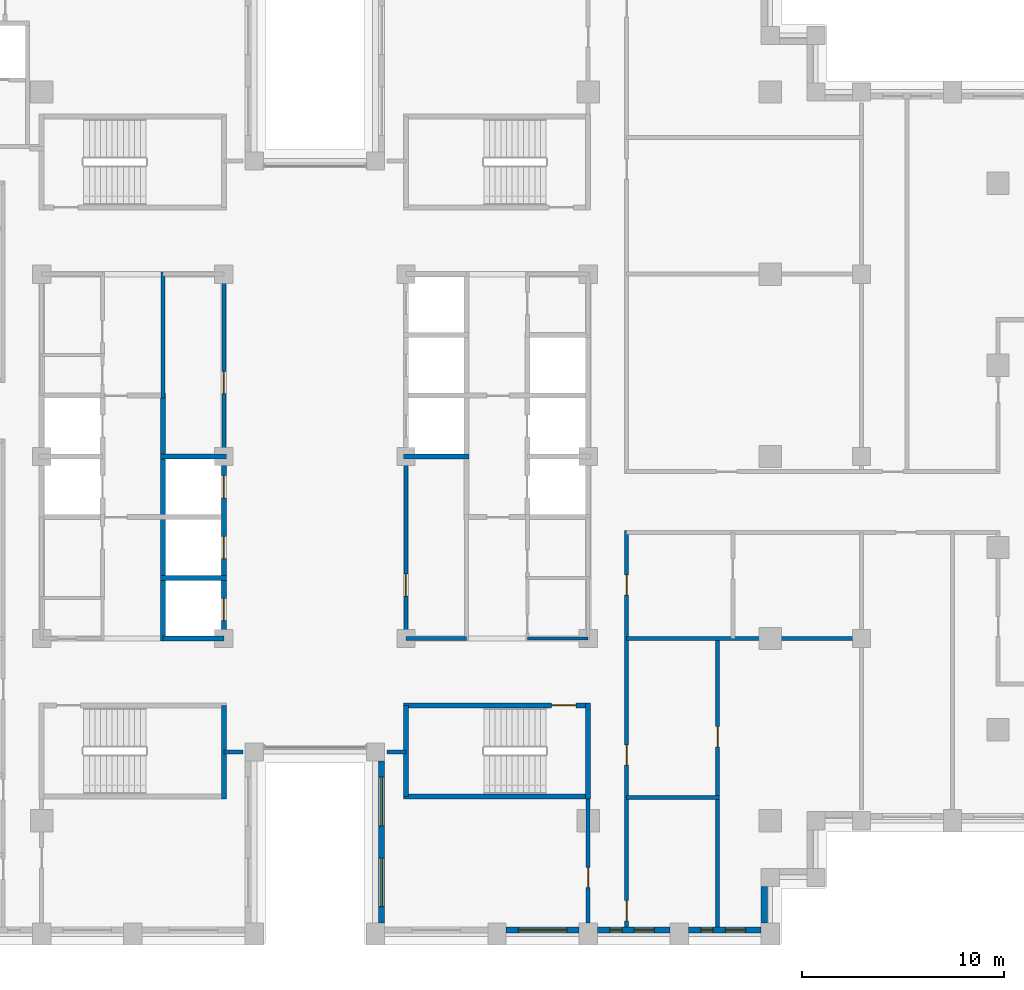
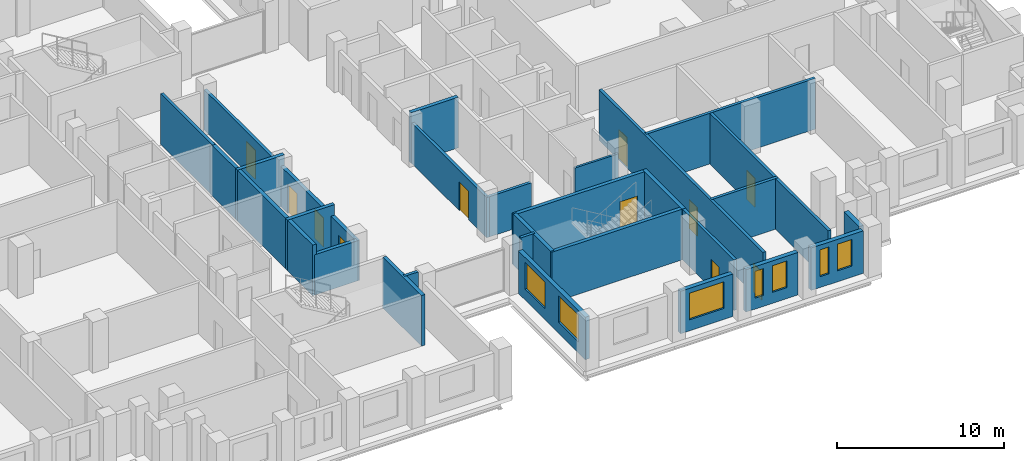
# One storey, part 8 of 15: 28 walls, 11 doors, 7 windows, 18 openings.
"""IFC4 building model written with IfcOpenShell, lengths in metres."""

from ifc_helpers import new_model, si_unit, direction, frame, frame_2d, origin, place, context, subcontext, project, spatial, rectangle, extrude, material, layer, layer_set, type_object, element, fill, save


model = new_model("IFC4")

# Units and contexts
model_context = context("Model", 3, precision=1e-05, world=origin(), true_north=direction((0.0, 1.0)))
body_context = subcontext(model_context, "Body", "Model", "MODEL_VIEW")
ifc_project = project(units=[si_unit("LENGTHUNIT", "METRE"), si_unit("AREAUNIT", "SQUARE_METRE"), si_unit("VOLUMEUNIT", "CUBIC_METRE"), si_unit("PLANEANGLEUNIT", "RADIAN"), si_unit("MASSUNIT", "GRAM", prefix="KILO")], contexts=[model_context])

# Site, building, storey
site_placement = place(None, origin())
site = spatial("IfcSite", under=ifc_project, at=site_placement, CompositionType="ELEMENT")
building_placement = place(site_placement, origin())
building = spatial("IfcBuilding", under=site, at=building_placement, Name="Corbelhall Arena Tower", CompositionType="ELEMENT")
storey_placement = place(building_placement, frame((0.0, 0.0, 146.0)))
storey = spatial("IfcBuildingStorey", under=building, at=storey_placement, Name="L28", CompositionType="ELEMENT", Elevation=146.0)

# Wall, openings, windows
ifc_material_1 = material(Name="Precast concrete C40/50 with granite facing", Category="masonry")
ifc_layer_1 = layer(ifc_material_1, 0.300048828125)
ifc_layer_set_1 = layer_set([ifc_layer_1], Name="EV-IW1 Infill panel 300")
wall_type_1 = type_object("IfcWallType", Name="EV-IW1 Infill panel 300", PredefinedType="SOLIDWALL", material=ifc_layer_set_1)
wall_1_placement = place(storey_placement, frame((3.300048828125, -15.050048828125, 0.0), z_axis=(0.0, 0.0, 1.0), x_axis=(0.0, -1.0, 0.0)))
wall_1 = element("IfcWall", 1, at=wall_1_placement, inside=storey, type_object=wall_type_1, Name="Infill panel IW1", PredefinedType="SOLIDWALL", context=body_context, shape_type="SweptSolid", body=[
    extrude(rectangle(XDim=8.0, YDim=0.300048828125, at=frame_2d((4.0, 0.0))), origin(), (0.0, 0.0, 1.0), 3.10009765625),
])
opening_1_placement = place(wall_1_placement, frame((0.800048828125, 0.0, 0.800048828125)))
opening_1 = element("IfcOpeningElement", 2, at=opening_1_placement, cuts=wall_1, Name="Opening WN1", PredefinedType="OPENING", context=body_context, shape_type="SweptSolid", body=[
    extrude(rectangle(XDim=2.39990234375, YDim=1.949951171875, at=frame_2d((1.199951171875, 0.97509765625))), frame((0.0, 0.14990234375, 0.0), z_axis=(0.0, -1.0, 0.0), x_axis=(1.0, 0.0, 0.0)), (0.0, 0.0, 1.0), 0.300048828125),
])
opening_2_placement = place(wall_1_placement, frame((4.800048828125, 0.0, 0.800048828125)))
opening_2 = element("IfcOpeningElement", 3, at=opening_2_placement, cuts=wall_1, Name="Opening WN1", PredefinedType="OPENING", context=body_context, shape_type="SweptSolid", body=[
    extrude(rectangle(XDim=2.39990234375, YDim=1.949951171875, at=frame_2d((1.199951171875, 0.97509765625))), frame((0.0, 0.14990234375, 0.0), z_axis=(0.0, -1.0, 0.0), x_axis=(1.0, 0.0, 0.0)), (0.0, 0.0, 1.0), 0.300048828125),
])
ifc_material_2 = material(Name="Aluminium black anodised", Category="aluminium")
window_type_1 = type_object("IfcWindowType", Name="EV-WN1 Office window", PartitioningType="SINGLE_PANEL", PredefinedType="WINDOW", material=ifc_material_2)
window_1_placement = place(opening_1_placement, origin())
window_1 = element("IfcWindow", 4, at=window_1_placement, inside=storey, type_object=window_type_1, Name="Window WN1", OverallHeight=1.949951171875, OverallWidth=2.39990234375, PartitioningType="SINGLE_PANEL", PredefinedType="WINDOW", context=body_context, shape_type="SweptSolid", body=[
    extrude(rectangle(XDim=2.39990234375, YDim=1.949951171875, at=frame_2d((1.199951171875, 0.97509765625))), frame((0.0, 0.030029296875, 0.0), z_axis=(0.0, -1.0, 0.0), x_axis=(1.0, 0.0, 0.0)), (0.0, 0.0, 1.0), 0.06005859375),
])
fill(opening_1, window_1)
window_2_placement = place(opening_2_placement, origin())
window_2 = element("IfcWindow", 5, at=window_2_placement, inside=storey, type_object=window_type_1, Name="Window WN1", OverallHeight=1.949951171875, OverallWidth=2.39990234375, PartitioningType="SINGLE_PANEL", PredefinedType="WINDOW", context=body_context, shape_type="SweptSolid", body=[
    extrude(rectangle(XDim=2.39990234375, YDim=1.949951171875, at=frame_2d((1.199951171875, 0.97509765625))), frame((0.0, 0.030029296875, 0.0), z_axis=(0.0, -1.0, 0.0), x_axis=(1.0, 0.0, 0.0)), (0.0, 0.0, 1.0), 0.06005859375),
])
fill(opening_2, window_2)

# Wall, opening, window
wall_2_placement = place(storey_placement, frame((9.449951171875, -23.39990234375, 0.0), z_axis=(0.0, 0.0, 1.0), x_axis=(1.0, 0.0, 0.0)))
wall_2 = element("IfcWall", 6, at=wall_2_placement, inside=storey, type_object=wall_type_1, Name="Infill panel IW1", PredefinedType="SOLIDWALL", context=body_context, shape_type="SweptSolid", body=[
    extrude(rectangle(XDim=3.60009765625, YDim=0.300048828125, at=frame_2d((1.800048828125, 0.0))), origin(), (0.0, 0.0, 1.0), 3.10009765625),
])
opening_3_placement = place(wall_2_placement, frame((0.60009765625, 0.0, 0.800048828125)))
opening_3 = element("IfcOpeningElement", 7, at=opening_3_placement, cuts=wall_2, Name="Opening WN1", PredefinedType="OPENING", context=body_context, shape_type="SweptSolid", body=[
    extrude(rectangle(XDim=2.39990234375, YDim=1.949951171875, at=frame_2d((1.199951171875, 0.97509765625))), frame((0.0, 0.14990234375, 0.0), z_axis=(0.0, -1.0, 0.0), x_axis=(1.0, 0.0, 0.0)), (0.0, 0.0, 1.0), 0.300048828125),
])
window_3_placement = place(opening_3_placement, origin())
window_3 = element("IfcWindow", 8, at=window_3_placement, inside=storey, type_object=window_type_1, Name="Window WN1", OverallHeight=1.949951171875, OverallWidth=2.39990234375, PartitioningType="SINGLE_PANEL", PredefinedType="WINDOW", context=body_context, shape_type="SweptSolid", body=[
    extrude(rectangle(XDim=2.39990234375, YDim=1.949951171875, at=frame_2d((1.199951171875, 0.97509765625))), frame((0.0, 0.030029296875, 0.0), z_axis=(0.0, -1.0, 0.0), x_axis=(1.0, 0.0, 0.0)), (0.0, 0.0, 1.0), 0.06005859375),
])
fill(opening_3, window_3)

# Wall, openings, windows
wall_3_placement = place(storey_placement, frame((13.949951171875, -23.39990234375, 0.0), z_axis=(0.0, 0.0, 1.0), x_axis=(1.0, 0.0, 0.0)))
wall_3 = element("IfcWall", 9, at=wall_3_placement, inside=storey, type_object=wall_type_1, Name="Infill panel IW1", PredefinedType="SOLIDWALL", context=body_context, shape_type="SweptSolid", body=[
    extrude(rectangle(XDim=3.60009765625, YDim=0.300048828125, at=frame_2d((1.800048828125, 0.0))), origin(), (0.0, 0.0, 1.0), 3.10009765625),
])
opening_4_placement = place(wall_3_placement, frame((0.625, 0.0, 0.800048828125)))
opening_4 = element("IfcOpeningElement", 10, at=opening_4_placement, cuts=wall_3, Name="Opening WN5", PredefinedType="OPENING", context=body_context, shape_type="SweptSolid", body=[
    extrude(rectangle(XDim=0.60009765625, YDim=1.949951171875, at=frame_2d((0.300048828125, 0.97509765625))), frame((0.0, 0.14990234375, 0.0), z_axis=(0.0, -1.0, 0.0), x_axis=(1.0, 0.0, 0.0)), (0.0, 0.0, 1.0), 0.300048828125),
])
opening_5_placement = place(wall_3_placement, frame((1.824951171875, 0.0, 0.800048828125)))
opening_5 = element("IfcOpeningElement", 11, at=opening_5_placement, cuts=wall_3, Name="Opening WN6", PredefinedType="OPENING", context=body_context, shape_type="SweptSolid", body=[
    extrude(rectangle(XDim=1.0, YDim=1.949951171875, at=frame_2d((0.5, 0.97509765625))), frame((0.0, 0.14990234375, 0.0), z_axis=(0.0, -1.0, 0.0), x_axis=(1.0, 0.0, 0.0)), (0.0, 0.0, 1.0), 0.300048828125),
])
window_type_2 = type_object("IfcWindowType", Name="EV-WN5 Office window 600", PartitioningType="SINGLE_PANEL", PredefinedType="WINDOW", material=ifc_material_2)
window_4_placement = place(opening_4_placement, origin())
window_4 = element("IfcWindow", 12, at=window_4_placement, inside=storey, type_object=window_type_2, Name="Window WN5", OverallHeight=1.949951171875, OverallWidth=0.60009765625, PartitioningType="SINGLE_PANEL", PredefinedType="WINDOW", context=body_context, shape_type="SweptSolid", body=[
    extrude(rectangle(XDim=0.60009765625, YDim=1.949951171875, at=frame_2d((0.300048828125, 0.97509765625))), frame((0.0, 0.030029296875, 0.0), z_axis=(0.0, -1.0, 0.0), x_axis=(1.0, 0.0, 0.0)), (0.0, 0.0, 1.0), 0.06005859375),
])
fill(opening_4, window_4)
window_type_3 = type_object("IfcWindowType", Name="EV-WN6 Office window 1000", PartitioningType="SINGLE_PANEL", PredefinedType="WINDOW", material=ifc_material_2)
window_5_placement = place(opening_5_placement, origin())
window_5 = element("IfcWindow", 13, at=window_5_placement, inside=storey, type_object=window_type_3, Name="Window WN6", OverallHeight=1.949951171875, OverallWidth=1.0, PartitioningType="SINGLE_PANEL", PredefinedType="WINDOW", context=body_context, shape_type="SweptSolid", body=[
    extrude(rectangle(XDim=1.0, YDim=1.949951171875, at=frame_2d((0.5, 0.97509765625))), frame((0.0, 0.030029296875, 0.0), z_axis=(0.0, -1.0, 0.0), x_axis=(1.0, 0.0, 0.0)), (0.0, 0.0, 1.0), 0.06005859375),
])
fill(opening_5, window_5)

wall_4_placement = place(storey_placement, frame((18.449951171875, -23.39990234375, 0.0), z_axis=(0.0, 0.0, 1.0), x_axis=(1.0, 0.0, 0.0)))
wall_4 = element("IfcWall", 14, at=wall_4_placement, inside=storey, type_object=wall_type_1, Name="Infill panel IW1", PredefinedType="SOLIDWALL", context=body_context, shape_type="SweptSolid", body=[
    extrude(rectangle(XDim=3.60009765625, YDim=0.300048828125, at=frame_2d((1.800048828125, 0.0))), origin(), (0.0, 0.0, 1.0), 3.10009765625),
])
opening_6_placement = place(wall_4_placement, frame((0.625, 0.0, 0.800048828125)))
opening_6 = element("IfcOpeningElement", 15, at=opening_6_placement, cuts=wall_4, Name="Opening WN5", PredefinedType="OPENING", context=body_context, shape_type="SweptSolid", body=[
    extrude(rectangle(XDim=0.60009765625, YDim=1.949951171875, at=frame_2d((0.300048828125, 0.97509765625))), frame((0.0, 0.14990234375, 0.0), z_axis=(0.0, -1.0, 0.0), x_axis=(1.0, 0.0, 0.0)), (0.0, 0.0, 1.0), 0.300048828125),
])
opening_7_placement = place(wall_4_placement, frame((1.824951171875, 0.0, 0.800048828125)))
opening_7 = element("IfcOpeningElement", 16, at=opening_7_placement, cuts=wall_4, Name="Opening WN6", PredefinedType="OPENING", context=body_context, shape_type="SweptSolid", body=[
    extrude(rectangle(XDim=1.0, YDim=1.949951171875, at=frame_2d((0.5, 0.97509765625))), frame((0.0, 0.14990234375, 0.0), z_axis=(0.0, -1.0, 0.0), x_axis=(1.0, 0.0, 0.0)), (0.0, 0.0, 1.0), 0.300048828125),
])
window_6_placement = place(opening_6_placement, origin())
window_6 = element("IfcWindow", 17, at=window_6_placement, inside=storey, type_object=window_type_2, Name="Window WN5", OverallHeight=1.949951171875, OverallWidth=0.60009765625, PartitioningType="SINGLE_PANEL", PredefinedType="WINDOW", context=body_context, shape_type="SweptSolid", body=[
    extrude(rectangle(XDim=0.60009765625, YDim=1.949951171875, at=frame_2d((0.300048828125, 0.97509765625))), frame((0.0, 0.030029296875, 0.0), z_axis=(0.0, -1.0, 0.0), x_axis=(1.0, 0.0, 0.0)), (0.0, 0.0, 1.0), 0.06005859375),
])
fill(opening_6, window_6)
window_7_placement = place(opening_7_placement, origin())
window_7 = element("IfcWindow", 18, at=window_7_placement, inside=storey, type_object=window_type_3, Name="Window WN6", OverallHeight=1.949951171875, OverallWidth=1.0, PartitioningType="SINGLE_PANEL", PredefinedType="WINDOW", context=body_context, shape_type="SweptSolid", body=[
    extrude(rectangle(XDim=1.0, YDim=1.949951171875, at=frame_2d((0.5, 0.97509765625))), frame((0.0, 0.030029296875, 0.0), z_axis=(0.0, -1.0, 0.0), x_axis=(1.0, 0.0, 0.0)), (0.0, 0.0, 1.0), 0.06005859375),
])
fill(opening_7, window_7)

# Walls
wall_5_placement = place(storey_placement, frame((22.199951171875, -23.050048828125, 0.0), z_axis=(0.0, 0.0, 1.0), x_axis=(0.0, 1.0, 0.0)))
element("IfcWall", 19, at=wall_5_placement, inside=storey, type_object=wall_type_1, Name="Infill panel IW1", PredefinedType="SOLIDWALL", context=body_context, shape_type="SweptSolid", body=[
    extrude(rectangle(XDim=1.800048828125, YDim=0.300048828125, at=frame_2d((0.89990234375, 0.0))), origin(), (0.0, 0.0, 1.0), 3.10009765625),
])
ifc_material_3 = material(Name="Gypsum board on steel stud, acoustic", Category="steel")
ifc_layer_2 = layer(ifc_material_3, 0.199951171875)
ifc_layer_set_2 = layer_set([ifc_layer_2], Name="IN-W-DM200")
wall_type_2 = type_object("IfcWallType", Name="IN-W-DM200", PredefinedType="PARTITIONING", material=ifc_layer_set_2)
for number, where, z_axis, x_axis, name in (
    (20, (-3.550048828125, -14.60009765625, 0.0), (0.0, 0.0, 1.0), (-1.0, 0.0, 0.0), "Partition 023"),
    (21, (4.5, -14.60009765625, 0.0), (0.0, 0.0, 1.0), (-1.0, 0.0, 0.0), "Partition 025"),
):
    element("IfcWall", number, at=place(storey_placement, frame(where, z_axis=z_axis, x_axis=x_axis)), inside=storey, type_object=wall_type_2, Name=name, PredefinedType="PARTITIONING", context=body_context, shape_type="SweptSolid", body=[
        extrude(rectangle(XDim=0.949951171875, YDim=0.199951171875, at=frame_2d((0.47509765625, 0.0))), origin(), (0.0, 0.0, 1.0), 3.699951171875),
    ])

# Wall, opening, door
wall_6_placement = place(storey_placement, frame((13.5, -23.050048828125, 0.0), z_axis=(0.0, 0.0, 1.0), x_axis=(0.0, 1.0, 0.0)))
wall_6 = element("IfcWall", 22, at=wall_6_placement, inside=storey, type_object=wall_type_2, Name="Partition 026", PredefinedType="PARTITIONING", context=body_context, shape_type="SweptSolid", body=[
    extrude(rectangle(XDim=6.375, YDim=0.199951171875, at=frame_2d((3.1875, 0.0))), origin(), (0.0, 0.0, 1.0), 3.699951171875),
])
opening_8_placement = place(wall_6_placement, frame((1.75, 0.0, 0.0)))
opening_8 = element("IfcOpeningElement", 23, at=opening_8_placement, cuts=wall_6, Name="Opening 07025", PredefinedType="OPENING", context=body_context, shape_type="SweptSolid", body=[
    extrude(rectangle(XDim=1.0, YDim=2.10009765625, at=frame_2d((0.5, 1.050048828125))), frame((0.0, 0.10009765625, 0.0), z_axis=(0.0, -1.0, 0.0), x_axis=(1.0, 0.0, 0.0)), (0.0, 0.0, 1.0), 0.199951171875),
])
ifc_material_4 = material(Name="Steel door set", Category="steel")
door_type_1 = type_object("IfcDoorType", Name="IN-D-SW100", OperationType="NOTDEFINED", PredefinedType="DOOR", material=ifc_material_4)
door_1_placement = place(opening_8_placement, origin())
door_1 = element("IfcDoor", 24, at=door_1_placement, inside=storey, type_object=door_type_1, Name="Door 025", OperationType="SINGLE_SWING_RIGHT", OverallHeight=2.10009765625, OverallWidth=1.0, PredefinedType="DOOR", context=body_context, shape_type="SweptSolid", body=[
    extrude(rectangle(XDim=1.0, YDim=2.10009765625, at=frame_2d((0.5, 1.050048828125))), frame((0.0, 0.02490234375, 0.0), z_axis=(0.0, -1.0, 0.0), x_axis=(1.0, 0.0, 0.0)), (0.0, 0.0, 1.0), 0.050048828125),
])
fill(opening_8, door_1)

# Wall
wall_7_placement = place(storey_placement, frame((15.39990234375, -16.85009765625, 0.0), z_axis=(0.0, 0.0, 1.0), x_axis=(1.0, 0.0, 0.0)))
element("IfcWall", 25, at=wall_7_placement, inside=storey, type_object=wall_type_2, Name="Partition 028", PredefinedType="PARTITIONING", context=body_context, shape_type="SweptSolid", body=[
    extrude(rectangle(XDim=4.60009765625, YDim=0.199951171875, at=frame_2d((2.300048828125, 0.0))), origin(), (0.0, 0.0, 1.0), 3.699951171875),
])

# Wall, openings, doors
wall_8_placement = place(storey_placement, frame((15.39990234375, -3.64990234375, 0.0), z_axis=(0.0, 0.0, 1.0), x_axis=(0.0, -1.0, 0.0)))
wall_8 = element("IfcWall", 26, at=wall_8_placement, inside=storey, type_object=wall_type_2, Name="Partition 029", PredefinedType="PARTITIONING", context=body_context, shape_type="SweptSolid", body=[
    extrude(rectangle(XDim=19.60009765625, YDim=0.199951171875, at=frame_2d((9.800048828125, 0.0))), origin(), (0.0, 0.0, 1.0), 3.699951171875),
])
opening_9_placement = place(wall_8_placement, frame((18.300048828125, 0.0, 0.0)))
opening_9 = element("IfcOpeningElement", 27, at=opening_9_placement, cuts=wall_8, Name="Opening 07035", PredefinedType="OPENING", context=body_context, shape_type="SweptSolid", body=[
    extrude(rectangle(XDim=1.0, YDim=2.10009765625, at=frame_2d((0.5, 1.050048828125))), frame((0.0, 0.10009765625, 0.0), z_axis=(0.0, -1.0, 0.0), x_axis=(1.0, 0.0, 0.0)), (0.0, 0.0, 1.0), 0.199951171875),
])
opening_10_placement = place(wall_8_placement, frame((10.60009765625, 0.0, 0.0)))
opening_10 = element("IfcOpeningElement", 28, at=opening_10_placement, cuts=wall_8, Name="Opening 07036", PredefinedType="OPENING", context=body_context, shape_type="SweptSolid", body=[
    extrude(rectangle(XDim=1.0, YDim=2.10009765625, at=frame_2d((0.5, 1.050048828125))), frame((0.0, 0.10009765625, 0.0), z_axis=(0.0, -1.0, 0.0), x_axis=(1.0, 0.0, 0.0)), (0.0, 0.0, 1.0), 0.199951171875),
])
opening_11_placement = place(wall_8_placement, frame((2.199951171875, 0.0, 0.0)))
opening_11 = element("IfcOpeningElement", 29, at=opening_11_placement, cuts=wall_8, Name="Opening 07038", PredefinedType="OPENING", context=body_context, shape_type="SweptSolid", body=[
    extrude(rectangle(XDim=1.0, YDim=2.10009765625, at=frame_2d((0.5, 1.050048828125))), frame((0.0, 0.10009765625, 0.0), z_axis=(0.0, -1.0, 0.0), x_axis=(1.0, 0.0, 0.0)), (0.0, 0.0, 1.0), 0.199951171875),
])
door_2_placement = place(opening_9_placement, origin())
door_2 = element("IfcDoor", 30, at=door_2_placement, inside=storey, type_object=door_type_1, Name="Door 035", OperationType="SINGLE_SWING_RIGHT", OverallHeight=2.10009765625, OverallWidth=1.0, PredefinedType="DOOR", context=body_context, shape_type="SweptSolid", body=[
    extrude(rectangle(XDim=1.0, YDim=2.10009765625, at=frame_2d((0.5, 1.050048828125))), frame((0.0, 0.02490234375, 0.0), z_axis=(0.0, -1.0, 0.0), x_axis=(1.0, 0.0, 0.0)), (0.0, 0.0, 1.0), 0.050048828125),
])
fill(opening_9, door_2)
door_3_placement = place(opening_10_placement, origin())
door_3 = element("IfcDoor", 31, at=door_3_placement, inside=storey, type_object=door_type_1, Name="Door 036", OperationType="SINGLE_SWING_LEFT", OverallHeight=2.10009765625, OverallWidth=1.0, PredefinedType="DOOR", context=body_context, shape_type="SweptSolid", body=[
    extrude(rectangle(XDim=1.0, YDim=2.10009765625, at=frame_2d((0.5, 1.050048828125))), frame((0.0, 0.02490234375, 0.0), z_axis=(0.0, -1.0, 0.0), x_axis=(1.0, 0.0, 0.0)), (0.0, 0.0, 1.0), 0.050048828125),
])
fill(opening_10, door_3)
door_4_placement = place(opening_11_placement, origin())
door_4 = element("IfcDoor", 32, at=door_4_placement, inside=storey, type_object=door_type_1, Name="Door 038", OperationType="SINGLE_SWING_LEFT", OverallHeight=2.10009765625, OverallWidth=1.0, PredefinedType="DOOR", context=body_context, shape_type="SweptSolid", body=[
    extrude(rectangle(XDim=1.0, YDim=2.10009765625, at=frame_2d((0.5, 1.050048828125))), frame((0.0, 0.02490234375, 0.0), z_axis=(0.0, -1.0, 0.0), x_axis=(1.0, 0.0, 0.0)), (0.0, 0.0, 1.0), 0.050048828125),
])
fill(opening_11, door_4)

# Wall
wall_9_placement = place(storey_placement, frame((15.39990234375, -9.0, 0.0), z_axis=(0.0, 0.0, 1.0), x_axis=(1.0, 0.0, 0.0)))
element("IfcWall", 33, at=wall_9_placement, inside=storey, type_object=wall_type_2, Name="Partition 030", PredefinedType="PARTITIONING", context=body_context, shape_type="SweptSolid", body=[
    extrude(rectangle(XDim=11.7001953125, YDim=0.199951171875, at=frame_2d((5.85009765625, 0.0))), origin(), (0.0, 0.0, 1.0), 3.699951171875),
])

# Wall, opening, door
wall_10_placement = place(storey_placement, frame((19.89990234375, -8.89990234375, 0.0), z_axis=(0.0, 0.0, 1.0), x_axis=(0.0, -1.0, 0.0)))
wall_10 = element("IfcWall", 34, at=wall_10_placement, inside=storey, type_object=wall_type_2, Name="Partition 035", PredefinedType="PARTITIONING", context=body_context, shape_type="SweptSolid", body=[
    extrude(rectangle(XDim=14.35009765625, YDim=0.199951171875, at=frame_2d((7.175048828125, 0.0))), origin(), (0.0, 0.0, 1.0), 3.699951171875),
])
opening_12_placement = place(wall_10_placement, frame((4.449951171875, 0.0, 0.0)))
opening_12 = element("IfcOpeningElement", 35, at=opening_12_placement, cuts=wall_10, Name="Opening 07037", PredefinedType="OPENING", context=body_context, shape_type="SweptSolid", body=[
    extrude(rectangle(XDim=1.0, YDim=2.10009765625, at=frame_2d((0.5, 1.050048828125))), frame((0.0, 0.10009765625, 0.0), z_axis=(0.0, -1.0, 0.0), x_axis=(1.0, 0.0, 0.0)), (0.0, 0.0, 1.0), 0.199951171875),
])
door_5_placement = place(opening_12_placement, origin())
door_5 = element("IfcDoor", 36, at=door_5_placement, inside=storey, type_object=door_type_1, Name="Door 037", OperationType="SINGLE_SWING_RIGHT", OverallHeight=2.10009765625, OverallWidth=1.0, PredefinedType="DOOR", context=body_context, shape_type="SweptSolid", body=[
    extrude(rectangle(XDim=1.0, YDim=2.10009765625, at=frame_2d((0.5, 1.050048828125))), frame((0.0, 0.02490234375, 0.0), z_axis=(0.0, -1.0, 0.0), x_axis=(1.0, 0.0, 0.0)), (0.0, 0.0, 1.0), 0.050048828125),
])
fill(opening_12, door_5)

# Wall
ifc_material_5 = material(Name="Concrete block wall", Category="concrete")
ifc_layer_3 = layer(ifc_material_5, 0.199951171875)
ifc_layer_set_3 = layer_set([ifc_layer_3], Name="IN-W-RS200")
wall_type_3 = type_object("IfcWallType", Name="IN-W-RS200", PredefinedType="SOLIDWALL", material=ifc_layer_set_3)
wall_11_placement = place(storey_placement, frame((-7.5, 2.875, 0.0), z_axis=(0.0, 0.0, 1.0), x_axis=(0.0, 1.0, 0.0)))
element("IfcWall", 37, at=wall_11_placement, inside=storey, type_object=wall_type_3, Name="Partition 051", PredefinedType="SOLIDWALL", context=body_context, shape_type="SweptSolid", body=[
    extrude(rectangle(XDim=6.22509765625, YDim=0.199951171875, at=frame_2d((3.112548828125, 0.0))), origin(), (0.0, 0.0, 1.0), 3.699951171875),
])

# Wall, opening, door
ifc_layer_4 = layer(ifc_material_5, 0.199951171875)
ifc_layer_set_4 = layer_set([ifc_layer_4], Name="IN-W-RS200 under beam 762 mm")
wall_type_4 = type_object("IfcWallType", Name="IN-W-RS200 under beam 762 mm", PredefinedType="SOLIDWALL", material=ifc_layer_set_4)
wall_12_placement = place(storey_placement, frame((-4.5, 9.10009765625, 0.0), z_axis=(0.0, 0.0, 1.0), x_axis=(0.0, -1.0, 0.0)))
wall_12 = element("IfcWall", 38, at=wall_12_placement, inside=storey, type_object=wall_type_4, Name="Partition 053", PredefinedType="SOLIDWALL", context=body_context, shape_type="SweptSolid", body=[
    extrude(rectangle(XDim=9.10009765625, YDim=0.199951171875, at=frame_2d((4.550048828125, 0.0))), origin(), (0.0, 0.0, 1.0), 2.93798828125),
])
opening_13_placement = place(wall_12_placement, frame((4.89990234375, 0.0, 0.0)))
opening_13 = element("IfcOpeningElement", 39, at=opening_13_placement, cuts=wall_12, Name="Opening 07001", PredefinedType="OPENING", context=body_context, shape_type="SweptSolid", body=[
    extrude(rectangle(XDim=1.10009765625, YDim=2.10009765625, at=frame_2d((0.550048828125, 1.050048828125))), frame((0.0, 0.10009765625, 0.0), z_axis=(0.0, -1.0, 0.0), x_axis=(1.0, 0.0, 0.0)), (0.0, 0.0, 1.0), 0.199951171875),
])
door_type_2 = type_object("IfcDoorType", Name="IN-D-FD110", OperationType="NOTDEFINED", PredefinedType="DOOR", material=ifc_material_4)
door_6_placement = place(opening_13_placement, origin())
door_6 = element("IfcDoor", 40, at=door_6_placement, inside=storey, type_object=door_type_2, Name="Door 001", OperationType="SINGLE_SWING_RIGHT", OverallHeight=2.10009765625, OverallWidth=1.10009765625, PredefinedType="DOOR", context=body_context, shape_type="SweptSolid", body=[
    extrude(rectangle(XDim=1.10009765625, YDim=2.10009765625, at=frame_2d((0.550048828125, 1.050048828125))), frame((0.0, 0.02490234375, 0.0), z_axis=(0.0, -1.0, 0.0), x_axis=(1.0, 0.0, 0.0)), (0.0, 0.0, 1.0), 0.050048828125),
])
fill(opening_13, door_6)

wall_13_placement = place(storey_placement, frame((4.5, -9.10009765625, 0.0), z_axis=(0.0, 0.0, 1.0), x_axis=(0.0, 1.0, 0.0)))
wall_13 = element("IfcWall", 41, at=wall_13_placement, inside=storey, type_object=wall_type_4, Name="Partition 054", PredefinedType="SOLIDWALL", context=body_context, shape_type="SweptSolid", body=[
    extrude(rectangle(XDim=9.10009765625, YDim=0.199951171875, at=frame_2d((4.550048828125, 0.0))), origin(), (0.0, 0.0, 1.0), 2.93798828125),
])
opening_14_placement = place(wall_13_placement, frame((2.199951171875, 0.0, 0.0)))
opening_14 = element("IfcOpeningElement", 42, at=opening_14_placement, cuts=wall_13, Name="Opening 07008", PredefinedType="OPENING", context=body_context, shape_type="SweptSolid", body=[
    extrude(rectangle(XDim=1.10009765625, YDim=2.10009765625, at=frame_2d((0.550048828125, 1.050048828125))), frame((0.0, 0.10009765625, 0.0), z_axis=(0.0, -1.0, 0.0), x_axis=(1.0, 0.0, 0.0)), (0.0, 0.0, 1.0), 0.199951171875),
])
door_7_placement = place(opening_14_placement, origin())
door_7 = element("IfcDoor", 43, at=door_7_placement, inside=storey, type_object=door_type_2, Name="Door 008", OperationType="SINGLE_SWING_LEFT", OverallHeight=2.10009765625, OverallWidth=1.10009765625, PredefinedType="DOOR", context=body_context, shape_type="SweptSolid", body=[
    extrude(rectangle(XDim=1.10009765625, YDim=2.10009765625, at=frame_2d((0.550048828125, 1.050048828125))), frame((0.0, 0.02490234375, 0.0), z_axis=(0.0, -1.0, 0.0), x_axis=(1.0, 0.0, 0.0)), (0.0, 0.0, 1.0), 0.050048828125),
])
fill(opening_14, door_7)

# Walls
wall_14_placement = place(storey_placement, frame((7.5, -9.0, 0.0), z_axis=(0.0, 0.0, 1.0), x_axis=(-1.0, 0.0, 0.0)))
element("IfcWall", 44, at=wall_14_placement, inside=storey, type_object=wall_type_4, Name="Partition 055", PredefinedType="SOLIDWALL", context=body_context, shape_type="SweptSolid", body=[
    extrude(rectangle(XDim=3.0, YDim=0.199951171875, at=frame_2d((1.5, 0.0))), origin(), (0.0, 0.0, 1.0), 2.93798828125),
])
ifc_material_6 = material(Name="Concrete C40/50", Category="concrete")
ifc_layer_5 = layer(ifc_material_6, 0.25)
ifc_layer_set_5 = layer_set([ifc_layer_5], Name="IN-W-SH250")
wall_type_5 = type_object("IfcWallType", Name="IN-W-SH250", PredefinedType="SOLIDWALL", material=ifc_layer_set_5)
for number, where, z_axis, x_axis, name in (
    (45, (-7.625, -6.0, 0.0), (0.0, 0.0, 1.0), (1.0, 0.0, 0.0), "Shaft wall 067"),
    (46, (-7.625, 0.0, 0.0), (0.0, 0.0, 1.0), (1.0, 0.0, 0.0), "Shaft wall 068"),
):
    element("IfcWall", number, at=place(storey_placement, frame(where, z_axis=z_axis, x_axis=x_axis)), inside=storey, type_object=wall_type_5, Name=name, PredefinedType="SOLIDWALL", context=body_context, shape_type="SweptSolid", body=[
        extrude(rectangle(XDim=3.25, YDim=0.25, at=frame_2d((1.625, 0.0))), origin(), (0.0, 0.0, 1.0), 3.699951171875),
    ])
wall_15_placement = place(storey_placement, frame((-7.5, -9.125, 0.0), z_axis=(0.0, 0.0, 1.0), x_axis=(0.0, 1.0, 0.0)))
element("IfcWall", 47, at=wall_15_placement, inside=storey, type_object=wall_type_5, Name="Shaft wall 069", PredefinedType="SOLIDWALL", context=body_context, shape_type="SweptSolid", body=[
    extrude(rectangle(XDim=12.25, YDim=0.25, at=frame_2d((6.125, 0.0))), origin(), (0.0, 0.0, 1.0), 3.699951171875),
])
wall_16_placement = place(storey_placement, frame((4.375, 0.0, 0.0), z_axis=(0.0, 0.0, 1.0), x_axis=(1.0, 0.0, 0.0)))
element("IfcWall", 48, at=wall_16_placement, inside=storey, type_object=wall_type_5, Name="Shaft wall 072", PredefinedType="SOLIDWALL", context=body_context, shape_type="SweptSolid", body=[
    extrude(rectangle(XDim=3.25, YDim=0.25, at=frame_2d((1.625, 0.0))), origin(), (0.0, 0.0, 1.0), 3.699951171875),
])
ifc_layer_6 = layer(ifc_material_6, 0.25)
ifc_layer_set_6 = layer_set([ifc_layer_6], Name="IN-W-SH250 under beam 762 mm")
wall_type_6 = type_object("IfcWallType", Name="IN-W-SH250 under beam 762 mm", PredefinedType="SOLIDWALL", material=ifc_layer_set_6)
wall_17_placement = place(storey_placement, frame((-4.5, -9.0, 0.0), z_axis=(0.0, 0.0, 1.0), x_axis=(-1.0, 0.0, 0.0)))
element("IfcWall", 49, at=wall_17_placement, inside=storey, type_object=wall_type_6, Name="Shaft wall 070", PredefinedType="SOLIDWALL", context=body_context, shape_type="SweptSolid", body=[
    extrude(rectangle(XDim=3.0, YDim=0.25, at=frame_2d((1.5, 0.0))), origin(), (0.0, 0.0, 1.0), 2.93798828125),
])

# Wall, openings, doors
wall_18_placement = place(storey_placement, frame((-4.5, 0.0, 0.0), z_axis=(0.0, 0.0, 1.0), x_axis=(0.0, -1.0, 0.0)))
wall_18 = element("IfcWall", 50, at=wall_18_placement, inside=storey, type_object=wall_type_6, Name="Shaft wall 071", PredefinedType="SOLIDWALL", context=body_context, shape_type="SweptSolid", body=[
    extrude(rectangle(XDim=9.125, YDim=0.25, at=frame_2d((4.5625, 0.0))), origin(), (0.0, 0.0, 1.0), 2.93798828125),
])
opening_15_placement = place(wall_18_placement, frame((7.012451171875, 0.0, 0.0)))
opening_15 = element("IfcOpeningElement", 51, at=opening_15_placement, cuts=wall_18, Name="Opening LD", PredefinedType="OPENING", context=body_context, shape_type="SweptSolid", body=[
    extrude(rectangle(XDim=1.10009765625, YDim=2.10009765625, at=frame_2d((0.550048828125, 1.050048828125))), frame((0.0, 0.125, 0.0), z_axis=(0.0, -1.0, 0.0), x_axis=(1.0, 0.0, 0.0)), (0.0, 0.0, 1.0), 0.25),
])
opening_16_placement = place(wall_18_placement, frame((3.949951171875, 0.0, 0.0)))
opening_16 = element("IfcOpeningElement", 52, at=opening_16_placement, cuts=wall_18, Name="Opening LD", PredefinedType="OPENING", context=body_context, shape_type="SweptSolid", body=[
    extrude(rectangle(XDim=1.10009765625, YDim=2.10009765625, at=frame_2d((0.550048828125, 1.050048828125))), frame((0.0, 0.125, 0.0), z_axis=(0.0, -1.0, 0.0), x_axis=(1.0, 0.0, 0.0)), (0.0, 0.0, 1.0), 0.25),
])
opening_17_placement = place(wall_18_placement, frame((0.949951171875, 0.0, 0.0)))
opening_17 = element("IfcOpeningElement", 53, at=opening_17_placement, cuts=wall_18, Name="Opening LD", PredefinedType="OPENING", context=body_context, shape_type="SweptSolid", body=[
    extrude(rectangle(XDim=1.10009765625, YDim=2.10009765625, at=frame_2d((0.550048828125, 1.050048828125))), frame((0.0, 0.125, 0.0), z_axis=(0.0, -1.0, 0.0), x_axis=(1.0, 0.0, 0.0)), (0.0, 0.0, 1.0), 0.25),
])
door_type_3 = type_object("IfcDoorType", Name="IN-D-LD110", OperationType="NOTDEFINED", PredefinedType="DOOR", material=ifc_material_4)
door_8_placement = place(opening_15_placement, origin())
door_8 = element("IfcDoor", 54, at=door_8_placement, inside=storey, type_object=door_type_3, Name="Landing door W1", OperationType="SLIDING_TO_LEFT", OverallHeight=2.10009765625, OverallWidth=1.10009765625, PredefinedType="DOOR", context=body_context, shape_type="SweptSolid", body=[
    extrude(rectangle(XDim=1.10009765625, YDim=2.10009765625, at=frame_2d((0.550048828125, 1.050048828125))), frame((0.0, 0.02490234375, 0.0), z_axis=(0.0, -1.0, 0.0), x_axis=(1.0, 0.0, 0.0)), (0.0, 0.0, 1.0), 0.050048828125),
])
fill(opening_15, door_8)
door_9_placement = place(opening_16_placement, origin())
door_9 = element("IfcDoor", 55, at=door_9_placement, inside=storey, type_object=door_type_3, Name="Landing door W2", OperationType="SLIDING_TO_LEFT", OverallHeight=2.10009765625, OverallWidth=1.10009765625, PredefinedType="DOOR", context=body_context, shape_type="SweptSolid", body=[
    extrude(rectangle(XDim=1.10009765625, YDim=2.10009765625, at=frame_2d((0.550048828125, 1.050048828125))), frame((0.0, 0.02490234375, 0.0), z_axis=(0.0, -1.0, 0.0), x_axis=(1.0, 0.0, 0.0)), (0.0, 0.0, 1.0), 0.050048828125),
])
fill(opening_16, door_9)
door_10_placement = place(opening_17_placement, origin())
door_10 = element("IfcDoor", 56, at=door_10_placement, inside=storey, type_object=door_type_3, Name="Landing door W3", OperationType="SLIDING_TO_LEFT", OverallHeight=2.10009765625, OverallWidth=1.10009765625, PredefinedType="DOOR", context=body_context, shape_type="SweptSolid", body=[
    extrude(rectangle(XDim=1.10009765625, YDim=2.10009765625, at=frame_2d((0.550048828125, 1.050048828125))), frame((0.0, 0.02490234375, 0.0), z_axis=(0.0, -1.0, 0.0), x_axis=(1.0, 0.0, 0.0)), (0.0, 0.0, 1.0), 0.050048828125),
])
fill(opening_17, door_10)

# Walls
ifc_layer_7 = layer(ifc_material_6, 0.25)
ifc_layer_set_7 = layer_set([ifc_layer_7], Name="IN-W-ST250")
wall_type_7 = type_object("IfcWallType", Name="IN-W-ST250", PredefinedType="SOLIDWALL", material=ifc_layer_set_7)
wall_19_placement = place(storey_placement, frame((-4.5, -12.300048828125, 0.0), z_axis=(0.0, 0.0, 1.0), x_axis=(0.0, -1.0, 0.0)))
element("IfcWall", 57, at=wall_19_placement, inside=storey, type_object=wall_type_7, Name="Shaft wall 094", PredefinedType="SOLIDWALL", context=body_context, shape_type="SweptSolid", body=[
    extrude(rectangle(XDim=4.625, YDim=0.25, at=frame_2d((2.3125, 0.0))), origin(), (0.0, 0.0, 1.0), 3.699951171875),
])
wall_20_placement = place(storey_placement, frame((4.5, -16.800048828125, 0.0), z_axis=(0.0, 0.0, 1.0), x_axis=(0.0, 1.0, 0.0)))
element("IfcWall", 58, at=wall_20_placement, inside=storey, type_object=wall_type_7, Name="Shaft wall 099", PredefinedType="SOLIDWALL", context=body_context, shape_type="SweptSolid", body=[
    extrude(rectangle(XDim=4.5, YDim=0.25, at=frame_2d((2.25, 0.0))), origin(), (0.0, 0.0, 1.0), 3.699951171875),
])
wall_21_placement = place(storey_placement, frame((13.5, -16.925048828125, 0.0), z_axis=(0.0, 0.0, 1.0), x_axis=(0.0, 1.0, 0.0)))
element("IfcWall", 59, at=wall_21_placement, inside=storey, type_object=wall_type_7, Name="Shaft wall 101", PredefinedType="SOLIDWALL", context=body_context, shape_type="SweptSolid", body=[
    extrude(rectangle(XDim=4.75, YDim=0.25, at=frame_2d((2.375, 0.0))), origin(), (0.0, 0.0, 1.0), 3.699951171875),
])
wall_22_placement = place(storey_placement, frame((13.5, -16.800048828125, 0.0), z_axis=(0.0, 0.0, 1.0), x_axis=(-1.0, 0.0, 0.0)))
element("IfcWall", 60, at=wall_22_placement, inside=storey, type_object=wall_type_7, Name="Shaft wall 102", PredefinedType="SOLIDWALL", context=body_context, shape_type="SweptSolid", body=[
    extrude(rectangle(XDim=9.125, YDim=0.25, at=frame_2d((4.5625, 0.0))), origin(), (0.0, 0.0, 1.0), 3.699951171875),
])

# Wall, opening, door
wall_23_placement = place(storey_placement, frame((13.5, -12.300048828125, 0.0), z_axis=(0.0, 0.0, 1.0), x_axis=(-1.0, 0.0, 0.0)))
wall_23 = element("IfcWall", 61, at=wall_23_placement, inside=storey, type_object=wall_type_7, Name="Shaft wall 103", PredefinedType="SOLIDWALL", context=body_context, shape_type="SweptSolid", body=[
    extrude(rectangle(XDim=9.125, YDim=0.25, at=frame_2d((4.5625, 0.0))), origin(), (0.0, 0.0, 1.0), 3.699951171875),
])
opening_18_placement = place(wall_23_placement, frame((0.60009765625, 0.0, 0.0)))
opening_18 = element("IfcOpeningElement", 62, at=opening_18_placement, cuts=wall_23, Name="Opening 07017", PredefinedType="OPENING", context=body_context, shape_type="SweptSolid", body=[
    extrude(rectangle(XDim=1.199951171875, YDim=2.10009765625, at=frame_2d((0.60009765625, 1.050048828125))), frame((0.0, 0.125, 0.0), z_axis=(0.0, -1.0, 0.0), x_axis=(1.0, 0.0, 0.0)), (0.0, 0.0, 1.0), 0.25),
])
door_type_4 = type_object("IfcDoorType", Name="IN-D-ST120", OperationType="NOTDEFINED", PredefinedType="DOOR", material=ifc_material_4)
door_11_placement = place(opening_18_placement, origin())
door_11 = element("IfcDoor", 63, at=door_11_placement, inside=storey, type_object=door_type_4, Name="Door 017", OperationType="SINGLE_SWING_RIGHT", OverallHeight=2.10009765625, OverallWidth=1.199951171875, PredefinedType="DOOR", context=body_context, shape_type="SweptSolid", body=[
    extrude(rectangle(XDim=1.199951171875, YDim=2.10009765625, at=frame_2d((0.60009765625, 1.050048828125))), frame((0.0, 0.02490234375, 0.0), z_axis=(0.0, -1.0, 0.0), x_axis=(1.0, 0.0, 0.0)), (0.0, 0.0, 1.0), 0.050048828125),
])
fill(opening_18, door_11)

# Wall
ifc_material_7 = material(Name="Gypsum board on steel stud, moisture resistant", Category="steel")
ifc_layer_8 = layer(ifc_material_7, 0.14990234375)
ifc_layer_set_8 = layer_set([ifc_layer_8], Name="IN-W-WC150 under beam 762 mm")
wall_type_8 = type_object("IfcWallType", Name="IN-W-WC150 under beam 762 mm", PredefinedType="PARTITIONING", material=ifc_layer_set_8)
wall_24_placement = place(storey_placement, frame((13.5, -9.0, 0.0), z_axis=(0.0, 0.0, 1.0), x_axis=(-1.0, 0.0, 0.0)))
element("IfcWall", 64, at=wall_24_placement, inside=storey, type_object=wall_type_8, Name="Partition 120", PredefinedType="PARTITIONING", context=body_context, shape_type="SweptSolid", body=[
    extrude(rectangle(XDim=3.0, YDim=0.14990234375, at=frame_2d((1.5, 0.0))), origin(), (0.0, 0.0, 1.0), 2.93798828125),
])

save(model, "model.ifc")
